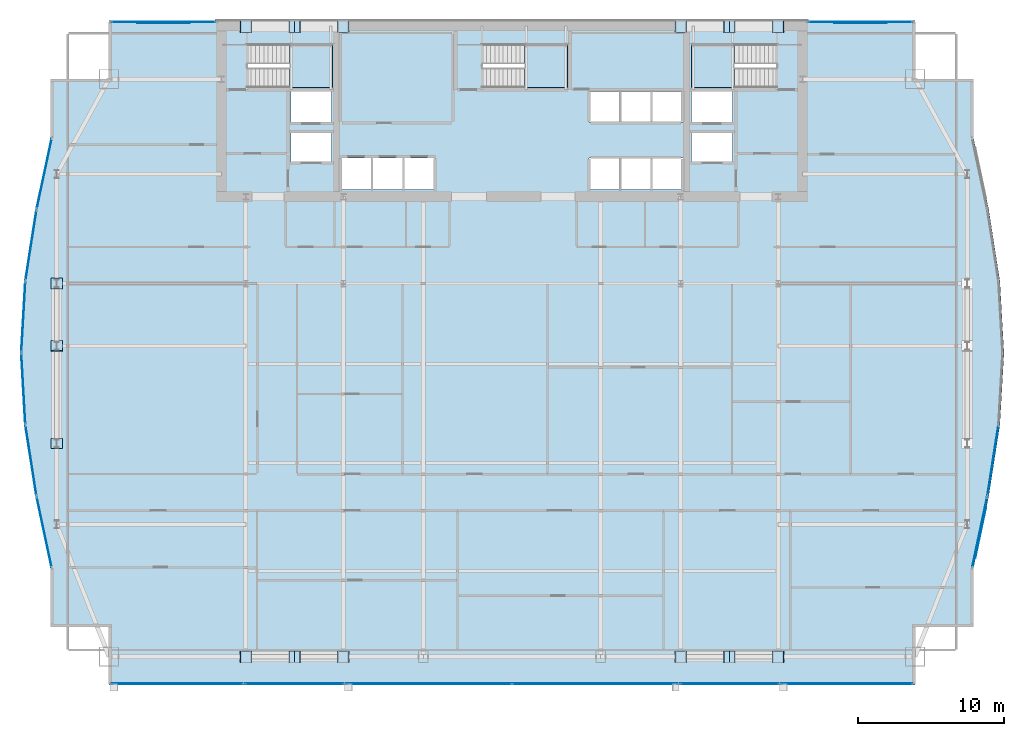
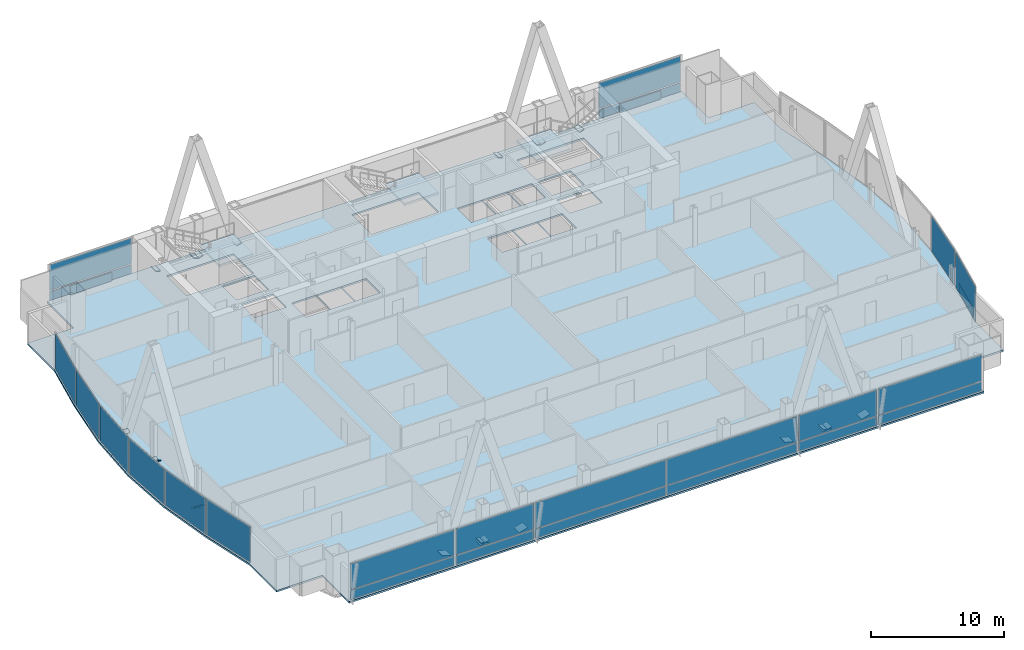
# One storey, part 24 of 30: 47 plates, 4 slabs, 18 elements without a shape of their own.
"""IFC4 building model written with IfcOpenShell, lengths in metres."""

from ifc_helpers import new_model, si_unit, direction, frame, origin, origin_2d, place, context, subcontext, project, spatial, polyline, rectangle, outline, extrude, material, layer, layer_set, type_object, element, aggregate, save


model = new_model("IFC4")

# Units and contexts
model_context = context("Model", 3, precision=1e-05, world=origin(), true_north=direction((0.0, 1.0)))
body_context = subcontext(model_context, "Body", "Model", "MODEL_VIEW")
ifc_project = project(units=[si_unit("LENGTHUNIT", "METRE"), si_unit("AREAUNIT", "SQUARE_METRE"), si_unit("VOLUMEUNIT", "CUBIC_METRE"), si_unit("PLANEANGLEUNIT", "RADIAN"), si_unit("MASSUNIT", "GRAM", prefix="KILO")], contexts=[model_context])

# Site, building, storey
site_placement = place(None, origin())
site = spatial("IfcSite", under=ifc_project, at=site_placement, CompositionType="ELEMENT")
building_placement = place(site_placement, origin())
building = spatial("IfcBuilding", under=site, at=building_placement, Name="Khoronbel Lancet Exchange", CompositionType="ELEMENT")
storey_placement = place(building_placement, frame((0.0, 0.0, 157.800048828125)))
storey = spatial("IfcBuildingStorey", under=building, at=storey_placement, Name="L39", CompositionType="ELEMENT", Elevation=157.800048828125)

# Curtain wall, plate
ifc_material_1 = material(Name="Low-E Solar Control Insulating Glass", Category="glass")
curtain_wall_type_1 = type_object("IfcCurtainWallType", Name="CW-4", PredefinedType="NOTDEFINED", material=ifc_material_1)
curtain_wall_1_placement = place(storey_placement, origin())
curtain_wall_1 = element("IfcCurtainWall", 1, at=curtain_wall_1_placement, inside=storey, type_object=curtain_wall_type_1, Name="Unitised curtain wall CW-L39-E05", PredefinedType="NOTDEFINED")
ifc_material_2 = material(Name="Bronze-Anodised Aluminium 6063-T6", Category="aluminium")
ifc_layer_1 = layer(ifc_material_2, 0.050048828125, Name="Bronze-Anodised Aluminium 6063-T6")
ifc_layer_set_1 = layer_set([ifc_layer_1], Name="Bronze-Anodised Aluminium 6063-T6")
plate_type_1 = type_object("IfcPlateType", Name="PLT-CSP1", PredefinedType="SHEET", material=ifc_layer_set_1)
plate_1_placement = place(storey_placement, frame((3.50732421875, 23.587890625, 0.0849609375), z_axis=(0.0, 0.0, 1.0), x_axis=(-0.154189029189, 0.98804136719, 0.0)))
plate_1 = element("IfcPlate", 2, at=plate_1_placement, type_object=plate_type_1, Name="CW4 panel 1.1", PredefinedType="CURTAIN_PANEL", context=body_context, shape_type="SweptSolid", body=[
    extrude(rectangle(XDim=4.8193359375, YDim=0.0380859375, at=origin_2d()), origin(), (0.0, 0.0, 1.0), 3.27001953125),
])
aggregate(curtain_wall_1, [plate_1])

curtain_wall_2_placement = place(storey_placement, origin())
curtain_wall_2 = element("IfcCurtainWall", 3, at=curtain_wall_2_placement, inside=storey, type_object=curtain_wall_type_1, Name="Unitised curtain wall CW-L39-E06", PredefinedType="NOTDEFINED")
plate_2_placement = place(storey_placement, frame((2.984130859375, 28.496337890625, 0.0849609375), z_axis=(0.0, 0.0, 1.0), x_axis=(-0.05702719411, 0.998372625392, 0.0)))
plate_2 = element("IfcPlate", 4, at=plate_2_placement, type_object=plate_type_1, Name="CW4 panel 1.1", PredefinedType="CURTAIN_PANEL", context=body_context, shape_type="SweptSolid", body=[
    extrude(rectangle(XDim=4.76513671875, YDim=0.0380859375, at=origin_2d()), origin(), (0.0, 0.0, 1.0), 3.27001953125),
])
aggregate(curtain_wall_2, [plate_2])

curtain_wall_3_placement = place(storey_placement, origin())
curtain_wall_3 = element("IfcCurtainWall", 5, at=curtain_wall_3_placement, inside=storey, type_object=curtain_wall_type_1, Name="Unitised curtain wall CW-L39-E07", PredefinedType="NOTDEFINED")
plate_3_placement = place(storey_placement, frame((2.984130859375, 33.403564453125, 0.0849609375), z_axis=(0.0, 0.0, 1.0), x_axis=(0.05702719411, 0.998372625392, 0.0)))
plate_3 = element("IfcPlate", 6, at=plate_3_placement, type_object=plate_type_1, Name="CW4 panel 1.1", PredefinedType="CURTAIN_PANEL", context=body_context, shape_type="SweptSolid", body=[
    extrude(rectangle(XDim=4.76513671875, YDim=0.0380859375, at=origin_2d()), origin(), (0.0, 0.0, 1.0), 3.27001953125),
])
aggregate(curtain_wall_3, [plate_3])

curtain_wall_4_placement = place(storey_placement, origin())
curtain_wall_4 = element("IfcCurtainWall", 7, at=curtain_wall_4_placement, inside=storey, type_object=curtain_wall_type_1, Name="Unitised curtain wall CW-L39-E08", PredefinedType="NOTDEFINED")
plate_4_placement = place(storey_placement, frame((3.50732421875, 38.31201171875, 0.0849609375), z_axis=(0.0, 0.0, 1.0), x_axis=(0.154189029189, 0.98804136719, 0.0)))
plate_4 = element("IfcPlate", 8, at=plate_4_placement, type_object=plate_type_1, Name="CW4 panel 1.1", PredefinedType="CURTAIN_PANEL", context=body_context, shape_type="SweptSolid", body=[
    extrude(rectangle(XDim=4.8193359375, YDim=0.0380859375, at=origin_2d()), origin(), (0.0, 0.0, 1.0), 3.27001953125),
])
aggregate(curtain_wall_4, [plate_4])

curtain_wall_type_2 = type_object("IfcCurtainWallType", Name="CW-3", PredefinedType="NOTDEFINED", material=ifc_material_1)
curtain_wall_5_placement = place(storey_placement, origin())
curtain_wall_5 = element("IfcCurtainWall", 9, at=curtain_wall_5_placement, inside=storey, type_object=curtain_wall_type_2, Name="Unitised curtain wall CW-L39-NWFLK", PredefinedType="NOTDEFINED")
plate_5_placement = place(storey_placement, frame((12.580078125, 53.550048828125, 0.0498046875), z_axis=(0.0, 0.0, 1.0), x_axis=(-1.0, 0.0, 0.0)))
plate_5 = element("IfcPlate", 10, at=plate_5_placement, type_object=plate_type_1, Name="Insulated bronze spandrel cassette CW-L39-NWFLK", PredefinedType="SHEET", context=body_context, shape_type="SweptSolid", body=[
    extrude(rectangle(XDim=3.60009765625, YDim=0.050048828125, at=origin_2d()), origin(), (0.0, 0.0, 1.0), 0.800048828125),
])

curtain_wall_6_placement = place(storey_placement, origin())
curtain_wall_6 = element("IfcCurtainWall", 11, at=curtain_wall_6_placement, inside=storey, type_object=curtain_wall_type_2, Name="Unitised curtain wall CW-L39-NEFLK", PredefinedType="NOTDEFINED")
plate_6_placement = place(storey_placement, frame((60.320068359375, 53.550048828125, 0.0498046875), z_axis=(0.0, 0.0, 1.0), x_axis=(-1.0, 0.0, 0.0)))
plate_6 = element("IfcPlate", 12, at=plate_6_placement, type_object=plate_type_1, Name="Insulated bronze spandrel cassette CW-L39-NEFLK", PredefinedType="SHEET", context=body_context, shape_type="SweptSolid", body=[
    extrude(rectangle(XDim=3.60009765625, YDim=0.050048828125, at=origin_2d()), origin(), (0.0, 0.0, 1.0), 0.800048828125),
])

curtain_wall_7_placement = place(storey_placement, origin())
curtain_wall_7 = element("IfcCurtainWall", 13, at=curtain_wall_7_placement, inside=storey, type_object=curtain_wall_type_1, Name="Unitised curtain wall CW-L39-E21", PredefinedType="NOTDEFINED")
plate_7_placement = place(storey_placement, frame((69.392578125, 23.587890625, 0.0849609375), z_axis=(0.0, 0.0, 1.0), x_axis=(-0.154189029189, -0.98804136719, 0.0)))
plate_7 = element("IfcPlate", 14, at=plate_7_placement, type_object=plate_type_1, Name="CW4 panel 1.1", PredefinedType="CURTAIN_PANEL", context=body_context, shape_type="SweptSolid", body=[
    extrude(rectangle(XDim=4.8193359375, YDim=0.0380859375, at=origin_2d()), origin(), (0.0, 0.0, 1.0), 3.27001953125),
])
aggregate(curtain_wall_7, [plate_7])

curtain_wall_8_placement = place(storey_placement, origin())
curtain_wall_8 = element("IfcCurtainWall", 15, at=curtain_wall_8_placement, inside=storey, type_object=curtain_wall_type_1, Name="Unitised curtain wall CW-L39-E22", PredefinedType="NOTDEFINED")
plate_8_placement = place(storey_placement, frame((68.54345703125, 18.65869140625, 0.0498046875), z_axis=(0.0, 0.0, 1.0), x_axis=(-0.208496605228, -0.978023090529, 0.0)))
plate_8 = element("IfcPlate", 16, at=plate_8_placement, type_object=plate_type_1, Name="Insulated bronze spandrel cassette CW-L39-E22", PredefinedType="SHEET", context=body_context, shape_type="SweptSolid", body=[
    extrude(rectangle(XDim=3.52392578125, YDim=0.050048828125, at=origin_2d()), origin(), (0.0, 0.0, 1.0), 0.800048828125),
])

# Curtain wall, plates
curtain_wall_9_placement = place(storey_placement, origin())
curtain_wall_9 = element("IfcCurtainWall", 17, at=curtain_wall_9_placement, inside=storey, type_object=curtain_wall_type_2, Name="Unitised curtain wall CW-L39-SWB", PredefinedType="NOTDEFINED")
plate_9_placement = place(storey_placement, frame((21.550048828125, 8.2900390625, 0.0849609375), z_axis=(0.0, 0.0, 1.0), x_axis=(1.0, 0.0, 0.0)))
plate_9 = element("IfcPlate", 18, at=plate_9_placement, type_object=plate_type_1, Name="CW3 panel 1.1", PredefinedType="CURTAIN_PANEL", context=body_context, shape_type="SweptSolid", body=[
    extrude(rectangle(XDim=6.72998046875, YDim=0.0380859375, at=origin_2d()), origin(), (0.0, 0.0, 1.0), 0.822509765625),
])
plate_10_placement = place(storey_placement, frame((21.550048828125, 8.2900390625, 0.9921875), z_axis=(0.0, 0.0, 1.0), x_axis=(1.0, 0.0, 0.0)))
plate_10 = element("IfcPlate", 19, at=plate_10_placement, type_object=plate_type_1, Name="CW3 panel 1.2", PredefinedType="CURTAIN_PANEL", context=body_context, shape_type="SweptSolid", body=[
    extrude(rectangle(XDim=6.72998046875, YDim=0.0380859375, at=origin_2d()), origin(), (0.0, 0.0, 1.0), 2.362548828125),
])
aggregate(curtain_wall_9, [plate_9, plate_10])

curtain_wall_10_placement = place(storey_placement, origin())
curtain_wall_10 = element("IfcCurtainWall", 20, at=curtain_wall_10_placement, inside=storey, type_object=curtain_wall_type_2, Name="Unitised curtain wall CW-L39-SEB", PredefinedType="NOTDEFINED")
plate_11_placement = place(storey_placement, frame((51.35009765625, 8.2900390625, 0.0849609375), z_axis=(0.0, 0.0, 1.0), x_axis=(1.0, 0.0, 0.0)))
plate_11 = element("IfcPlate", 21, at=plate_11_placement, type_object=plate_type_1, Name="CW3 panel 1.1", PredefinedType="CURTAIN_PANEL", context=body_context, shape_type="SweptSolid", body=[
    extrude(rectangle(XDim=6.72998046875, YDim=0.0380859375, at=origin_2d()), origin(), (0.0, 0.0, 1.0), 0.822509765625),
])
plate_12_placement = place(storey_placement, frame((51.35009765625, 8.2900390625, 0.9921875), z_axis=(0.0, 0.0, 1.0), x_axis=(1.0, 0.0, 0.0)))
plate_12 = element("IfcPlate", 22, at=plate_12_placement, type_object=plate_type_1, Name="CW3 panel 1.2", PredefinedType="CURTAIN_PANEL", context=body_context, shape_type="SweptSolid", body=[
    extrude(rectangle(XDim=6.72998046875, YDim=0.0380859375, at=origin_2d()), origin(), (0.0, 0.0, 1.0), 2.362548828125),
])
aggregate(curtain_wall_10, [plate_11, plate_12])

# Plate
ifc_layer_2 = layer(ifc_material_1, 0.035888671875, Name="Low-E Solar Control Insulating Glass")
ifc_layer_set_2 = layer_set([ifc_layer_2], Name="Low-E Solar Control Insulating Glass")
plate_type_2 = type_object("IfcPlateType", Name="PLT-CWP1", PredefinedType="CURTAIN_PANEL", material=ifc_layer_set_2)
plate_13_placement = place(storey_placement, frame((12.580078125, 53.610107421875, 0.0849609375), z_axis=(0.0, 0.0, 1.0), x_axis=(-1.0, 0.0, 0.0)))
plate_13 = element("IfcPlate", 23, at=plate_13_placement, type_object=plate_type_2, Name="CW3 panel 1.1", PredefinedType="CURTAIN_PANEL", context=body_context, shape_type="SweptSolid", body=[
    extrude(rectangle(XDim=7.110107421875, YDim=0.0380859375, at=origin_2d()), origin(), (0.0, 0.0, 1.0), 0.822509765625),
])

plate_14_placement = place(storey_placement, frame((12.580078125, 53.610107421875, 0.9921875), z_axis=(0.0, 0.0, 1.0), x_axis=(-1.0, 0.0, 0.0)))
plate_14 = element("IfcPlate", 24, at=plate_14_placement, type_object=plate_type_2, Name="CW3 panel 1.2", PredefinedType="CURTAIN_PANEL", context=body_context, shape_type="SweptSolid", body=[
    extrude(rectangle(XDim=7.110107421875, YDim=0.0380859375, at=origin_2d()), origin(), (0.0, 0.0, 1.0), 2.362548828125),
])

aggregate(curtain_wall_5, [plate_13, plate_14, plate_5])

plate_15_placement = place(storey_placement, frame((60.320068359375, 53.610107421875, 0.0849609375), z_axis=(0.0, 0.0, 1.0), x_axis=(-1.0, 0.0, 0.0)))
plate_15 = element("IfcPlate", 25, at=plate_15_placement, type_object=plate_type_2, Name="CW3 panel 1.1", PredefinedType="CURTAIN_PANEL", context=body_context, shape_type="SweptSolid", body=[
    extrude(rectangle(XDim=7.110107421875, YDim=0.0380859375, at=origin_2d()), origin(), (0.0, 0.0, 1.0), 0.822509765625),
])

plate_16_placement = place(storey_placement, frame((60.320068359375, 53.610107421875, 0.9921875), z_axis=(0.0, 0.0, 1.0), x_axis=(-1.0, 0.0, 0.0)))
plate_16 = element("IfcPlate", 26, at=plate_16_placement, type_object=plate_type_2, Name="CW3 panel 1.2", PredefinedType="CURTAIN_PANEL", context=body_context, shape_type="SweptSolid", body=[
    extrude(rectangle(XDim=7.110107421875, YDim=0.0380859375, at=origin_2d()), origin(), (0.0, 0.0, 1.0), 2.362548828125),
])

aggregate(curtain_wall_6, [plate_15, plate_16, plate_6])

# Curtain wall, plates
curtain_wall_11_placement = place(storey_placement, origin())
curtain_wall_11 = element("IfcCurtainWall", 27, at=curtain_wall_11_placement, inside=storey, type_object=curtain_wall_type_2, Name="Unitised curtain wall CW-L39-SWV", PredefinedType="NOTDEFINED")
plate_17_placement = place(storey_placement, frame((13.52001953125, 8.2900390625, 0.0849609375), z_axis=(0.0, 0.0, 1.0), x_axis=(1.0, 0.0, 0.0)))
plate_17 = element("IfcPlate", 28, at=plate_17_placement, type_object=plate_type_2, Name="CW3 panel 1.1", PredefinedType="CURTAIN_PANEL", context=body_context, shape_type="SweptSolid", body=[
    extrude(rectangle(XDim=8.989990234375, YDim=0.0380859375, at=origin_2d()), origin(), (0.0, 0.0, 1.0), 0.822509765625),
])
plate_18_placement = place(storey_placement, frame((13.52001953125, 8.2900390625, 0.9921875), z_axis=(0.0, 0.0, 1.0), x_axis=(1.0, 0.0, 0.0)))
plate_18 = element("IfcPlate", 29, at=plate_18_placement, type_object=plate_type_2, Name="CW3 panel 1.2", PredefinedType="CURTAIN_PANEL", context=body_context, shape_type="SweptSolid", body=[
    extrude(rectangle(XDim=8.989990234375, YDim=0.0380859375, at=origin_2d()), origin(), (0.0, 0.0, 1.0), 2.362548828125),
])
aggregate(curtain_wall_11, [plate_17, plate_18])

curtain_wall_12_placement = place(storey_placement, origin())
curtain_wall_12 = element("IfcCurtainWall", 30, at=curtain_wall_12_placement, inside=storey, type_object=curtain_wall_type_2, Name="Unitised curtain wall CW-L39-SCV", PredefinedType="NOTDEFINED")
plate_19_placement = place(storey_placement, frame((30.746337890625, 8.2900390625, 0.0849609375), z_axis=(0.0, 0.0, 1.0), x_axis=(1.0, 0.0, 0.0)))
plate_19 = element("IfcPlate", 31, at=plate_19_placement, type_object=plate_type_2, Name="CW3 panel 1.1", PredefinedType="CURTAIN_PANEL", context=body_context, shape_type="SweptSolid", body=[
    extrude(rectangle(XDim=11.322509765625, YDim=0.0380859375, at=origin_2d()), origin(), (0.0, 0.0, 1.0), 0.822509765625),
])
plate_20_placement = place(storey_placement, frame((30.746337890625, 8.2900390625, 0.9921875), z_axis=(0.0, 0.0, 1.0), x_axis=(1.0, 0.0, 0.0)))
plate_20 = element("IfcPlate", 32, at=plate_20_placement, type_object=plate_type_2, Name="CW3 panel 1.2", PredefinedType="CURTAIN_PANEL", context=body_context, shape_type="SweptSolid", body=[
    extrude(rectangle(XDim=11.322509765625, YDim=0.0380859375, at=origin_2d()), origin(), (0.0, 0.0, 1.0), 2.362548828125),
])
plate_21_placement = place(storey_placement, frame((42.15380859375, 8.2900390625, 0.0849609375), z_axis=(0.0, 0.0, 1.0), x_axis=(1.0, 0.0, 0.0)))
plate_21 = element("IfcPlate", 33, at=plate_21_placement, type_object=plate_type_2, Name="CW3 panel 2.1", PredefinedType="CURTAIN_PANEL", context=body_context, shape_type="SweptSolid", body=[
    extrude(rectangle(XDim=11.322509765625, YDim=0.0380859375, at=origin_2d()), origin(), (0.0, 0.0, 1.0), 0.822509765625),
])
plate_22_placement = place(storey_placement, frame((42.15380859375, 8.2900390625, 0.9921875), z_axis=(0.0, 0.0, 1.0), x_axis=(1.0, 0.0, 0.0)))
plate_22 = element("IfcPlate", 34, at=plate_22_placement, type_object=plate_type_2, Name="CW3 panel 2.2", PredefinedType="CURTAIN_PANEL", context=body_context, shape_type="SweptSolid", body=[
    extrude(rectangle(XDim=11.322509765625, YDim=0.0380859375, at=origin_2d()), origin(), (0.0, 0.0, 1.0), 2.362548828125),
])
aggregate(curtain_wall_12, [plate_19, plate_20, plate_21, plate_22])

curtain_wall_13_placement = place(storey_placement, origin())
curtain_wall_13 = element("IfcCurtainWall", 35, at=curtain_wall_13_placement, inside=storey, type_object=curtain_wall_type_2, Name="Unitised curtain wall CW-L39-SEV", PredefinedType="NOTDEFINED")
plate_23_placement = place(storey_placement, frame((59.3798828125, 8.2900390625, 0.0849609375), z_axis=(0.0, 0.0, 1.0), x_axis=(1.0, 0.0, 0.0)))
plate_23 = element("IfcPlate", 36, at=plate_23_placement, type_object=plate_type_2, Name="CW3 panel 1.1", PredefinedType="CURTAIN_PANEL", context=body_context, shape_type="SweptSolid", body=[
    extrude(rectangle(XDim=8.989990234375, YDim=0.0380859375, at=origin_2d()), origin(), (0.0, 0.0, 1.0), 0.822509765625),
])
plate_24_placement = place(storey_placement, frame((59.3798828125, 8.2900390625, 0.9921875), z_axis=(0.0, 0.0, 1.0), x_axis=(1.0, 0.0, 0.0)))
plate_24 = element("IfcPlate", 37, at=plate_24_placement, type_object=plate_type_2, Name="CW3 panel 1.2", PredefinedType="CURTAIN_PANEL", context=body_context, shape_type="SweptSolid", body=[
    extrude(rectangle(XDim=8.989990234375, YDim=0.0380859375, at=origin_2d()), origin(), (0.0, 0.0, 1.0), 2.362548828125),
])
aggregate(curtain_wall_13, [plate_23, plate_24])

# Curtain wall, plate
curtain_wall_14_placement = place(storey_placement, origin())
curtain_wall_14 = element("IfcCurtainWall", 38, at=curtain_wall_14_placement, inside=storey, type_object=curtain_wall_type_1, Name="Unitised curtain wall CW-L39-E04", PredefinedType="NOTDEFINED")
ifc_material_3 = material(Name="Ceramic-Fritted Laminated Insulating Glass", Category="glass")
ifc_layer_3 = layer(ifc_material_3, 0.0419921875, Name="Ceramic-Fritted Laminated Insulating Glass")
ifc_layer_set_3 = layer_set([ifc_layer_3], Name="Ceramic-Fritted Laminated Insulating Glass")
plate_type_3 = type_object("IfcPlateType", Name="PLT-CWP2", PredefinedType="CURTAIN_PANEL", material=ifc_layer_set_3)
plate_25_placement = place(storey_placement, frame((4.415283203125, 18.671142578125, 0.0849609375), z_axis=(0.0, 0.0, 1.0), x_axis=(-0.208496605228, 0.978023090529, 0.0)))
plate_25 = element("IfcPlate", 39, at=plate_25_placement, type_object=plate_type_3, Name="CW4 panel 1.1", PredefinedType="CURTAIN_PANEL", context=body_context, shape_type="SweptSolid", body=[
    extrude(rectangle(XDim=4.884033203125, YDim=0.0380859375, at=origin_2d()), origin(), (0.0, 0.0, 1.0), 3.27001953125),
])
aggregate(curtain_wall_14, [plate_25])

curtain_wall_15_placement = place(storey_placement, origin())
curtain_wall_15 = element("IfcCurtainWall", 40, at=curtain_wall_15_placement, inside=storey, type_object=curtain_wall_type_1, Name="Unitised curtain wall CW-L39-E09", PredefinedType="NOTDEFINED")
plate_26_placement = place(storey_placement, frame((4.415283203125, 43.228759765625, 0.0849609375), z_axis=(0.0, 0.0, 1.0), x_axis=(0.208496605228, 0.978023090529, 0.0)))
plate_26 = element("IfcPlate", 41, at=plate_26_placement, type_object=plate_type_3, Name="CW4 panel 1.1", PredefinedType="CURTAIN_PANEL", context=body_context, shape_type="SweptSolid", body=[
    extrude(rectangle(XDim=4.884033203125, YDim=0.0380859375, at=origin_2d()), origin(), (0.0, 0.0, 1.0), 3.27001953125),
])
aggregate(curtain_wall_15, [plate_26])

# Plate
plate_27_placement = place(storey_placement, frame((68.48486328125, 18.671142578125, 0.0849609375), z_axis=(0.0, 0.0, 1.0), x_axis=(-0.208496605228, -0.978023090529, 0.0)))
plate_27 = element("IfcPlate", 42, at=plate_27_placement, type_object=plate_type_3, Name="CW4 panel 1.1", PredefinedType="CURTAIN_PANEL", context=body_context, shape_type="SweptSolid", body=[
    extrude(rectangle(XDim=4.884033203125, YDim=0.0380859375, at=origin_2d()), origin(), (0.0, 0.0, 1.0), 3.27001953125),
])

aggregate(curtain_wall_8, [plate_27, plate_8])

# Plates
ifc_material_4 = material(Name="Steel S460", Category="steel")
ifc_layer_4 = layer(ifc_material_4, 0.044921875, Name="Steel S460")
ifc_layer_set_4 = layer_set([ifc_layer_4], Name="Steel S460")
plate_type_4 = type_object("IfcPlateType", Name="PLT-ECP1", PredefinedType="USERDEFINED", material=ifc_layer_set_4)
for number, where, z_axis, x_axis, name in (
    (43, (21.954345703125, 9.75, -0.086669921875), (0.295458235126, 0.0, 0.955355656966), (0.0, 1.0, 0.0), "Hollow end cap plate PLT-CAP-MEM-MB-T12-S-W-L-1"),
    (44, (21.170654296875, 10.550048828125, -0.086669921875), (-0.295458235126, 0.0, 0.955355656966), (0.0, -1.0, 0.0), "Hollow end cap plate PLT-CAP-MEM-MB-T12-S-W-R-1"),
):
    element("IfcPlate", number, at=place(storey_placement, frame(where, z_axis=z_axis, x_axis=x_axis)), inside=storey, type_object=plate_type_4, Name=name, ObjectType="STIFFENER_PLATE", PredefinedType="USERDEFINED", context=body_context, shape_type="SweptSolid", body=[
        extrude(outline(polyline([(0.0, 0.0), (0.800048828125, 0.0), (0.800048828125, 0.7998046875), (0.0, 0.7998046875), (0.0, 0.0)])), origin(), (0.0, 0.0, -1.0), 0.044921875),
    ])
for number, where, z_axis, x_axis, name in (
    (45, (51.7294921875, 9.75, -0.086669921875), (0.295372103756, 0.0, 0.955382290145), (0.0, 1.0, 0.0), "Hollow end cap plate PLT-CAP-MEM-MB-T12-S-E-L-1"),
    (46, (50.945556640625, 10.550048828125, -0.086669921875), (-0.295372103756, 0.0, 0.955382290145), (0.0, -1.0, 0.0), "Hollow end cap plate PLT-CAP-MEM-MB-T12-S-E-R-1"),
):
    element("IfcPlate", number, at=place(storey_placement, frame(where, z_axis=z_axis, x_axis=x_axis)), inside=storey, type_object=plate_type_4, Name=name, ObjectType="STIFFENER_PLATE", PredefinedType="USERDEFINED", context=body_context, shape_type="SweptSolid", body=[
        extrude(outline(polyline([(0.0, 0.0), (0.800048828125, 0.0), (0.800048828125, 0.800048828125), (0.0, 0.800048828125), (0.0, 0.0)])), origin(), (0.0, 0.0, -1.0), 0.044921875),
    ])
for number, where, z_axis, x_axis, name in (
    (47, (21.954345703125, 52.8798828125, -0.086669921875), (0.295458235126, 0.0, 0.955355656966), (0.0, 1.0, 0.0), "Hollow end cap plate PLT-CAP-MEM-MB-T12-N-W-L-1"),
    (48, (21.170654296875, 53.679931640625, -0.086669921875), (-0.295458235126, 0.0, 0.955355656966), (0.0, -1.0, 0.0), "Hollow end cap plate PLT-CAP-MEM-MB-T12-N-W-R-1"),
):
    element("IfcPlate", number, at=place(storey_placement, frame(where, z_axis=z_axis, x_axis=x_axis)), inside=storey, type_object=plate_type_4, Name=name, ObjectType="STIFFENER_PLATE", PredefinedType="USERDEFINED", context=body_context, shape_type="SweptSolid", body=[
        extrude(outline(polyline([(0.0, 0.0), (0.800048828125, 0.0), (0.800048828125, 0.7998046875), (0.0, 0.7998046875), (0.0, 0.0)])), origin(), (0.0, 0.0, -1.0), 0.044921875),
    ])
for number, where, z_axis, x_axis, name in (
    (49, (51.7294921875, 52.8798828125, -0.086669921875), (0.295372103756, 0.0, 0.955382290145), (0.0, 1.0, 0.0), "Hollow end cap plate PLT-CAP-MEM-MB-T12-N-E-L-1"),
    (50, (50.945556640625, 53.679931640625, -0.086669921875), (-0.295372103756, 0.0, 0.955382290145), (0.0, -1.0, 0.0), "Hollow end cap plate PLT-CAP-MEM-MB-T12-N-E-R-1"),
):
    element("IfcPlate", number, at=place(storey_placement, frame(where, z_axis=z_axis, x_axis=x_axis)), inside=storey, type_object=plate_type_4, Name=name, ObjectType="STIFFENER_PLATE", PredefinedType="USERDEFINED", context=body_context, shape_type="SweptSolid", body=[
        extrude(outline(polyline([(0.0, 0.0), (0.800048828125, 0.0), (0.800048828125, 0.800048828125), (0.0, 0.800048828125), (0.0, 0.0)])), origin(), (0.0, 0.0, -1.0), 0.044921875),
    ])
plate_28_placement = place(storey_placement, frame((5.669921875, 31.78271484375, -0.182373046875), z_axis=(0.0, 0.525713722958, 0.850661555199), x_axis=(-1.0, 0.0, 0.0)))
element("IfcPlate", 51, at=plate_28_placement, inside=storey, type_object=plate_type_4, Name="Hollow end cap plate PLT-CAP-MEM-MB-T12-W-P-L-1", ObjectType="STIFFENER_PLATE", PredefinedType="USERDEFINED", context=body_context, shape_type="SweptSolid", body=[
    extrude(outline(polyline([(0.0, 0.0), (0.7998046875, 0.0), (0.7998046875, 0.800048828125), (0.0, 0.800048828125), (0.0, 0.0)])), origin(), (0.0, 0.0, -1.0), 0.044921875),
])
plate_29_placement = place(storey_placement, frame((4.8701171875, 31.041015625, -0.11669921875), z_axis=(0.0, -0.368125419582, 0.929776142659), x_axis=(1.0, 0.0, 0.0)))
element("IfcPlate", 52, at=plate_29_placement, inside=storey, type_object=plate_type_4, Name="Hollow end cap plate PLT-CAP-MEM-MB-T12-W-P-R-1", ObjectType="STIFFENER_PLATE", PredefinedType="USERDEFINED", context=body_context, shape_type="SweptSolid", body=[
    extrude(outline(polyline([(0.0, 0.0), (0.7998046875, 0.0), (0.7998046875, 0.7998046875), (0.0, 0.7998046875), (0.0, 0.0)])), origin(), (0.0, 0.0, -1.0), 0.044921875),
])
for number, where, z_axis, x_axis, name in (
    (53, (18.610595703125, 9.75, -0.106689453125), (0.295458235126, 0.0, 0.955355656966), (0.0, 1.0, 0.0), "Hollow end cap plate PLT-CAP-MEM-MB-T13-S-W-L-0"),
    (54, (24.514404296875, 10.550048828125, -0.106689453125), (-0.295458235126, 0.0, 0.955355656966), (0.0, -1.0, 0.0), "Hollow end cap plate PLT-CAP-MEM-MB-T13-S-W-R-0"),
):
    element("IfcPlate", number, at=place(storey_placement, frame(where, z_axis=z_axis, x_axis=x_axis)), inside=storey, type_object=plate_type_4, Name=name, ObjectType="STIFFENER_PLATE", PredefinedType="USERDEFINED", context=body_context, shape_type="SweptSolid", body=[
        extrude(outline(polyline([(0.0, 0.0), (0.800048828125, 0.0), (0.800048828125, 0.7998046875), (0.0, 0.7998046875), (0.0, 0.0)])), origin(), (0.0, 0.0, -1.0), 0.044921875),
    ])
for number, where, z_axis, x_axis, name in (
    (55, (48.3857421875, 9.75, -0.106689453125), (0.295372103756, 0.0, 0.955382290145), (0.0, 1.0, 0.0), "Hollow end cap plate PLT-CAP-MEM-MB-T13-S-E-L-0"),
    (56, (54.289306640625, 10.550048828125, -0.106689453125), (-0.295372103756, 0.0, 0.955382290145), (0.0, -1.0, 0.0), "Hollow end cap plate PLT-CAP-MEM-MB-T13-S-E-R-0"),
):
    element("IfcPlate", number, at=place(storey_placement, frame(where, z_axis=z_axis, x_axis=x_axis)), inside=storey, type_object=plate_type_4, Name=name, ObjectType="STIFFENER_PLATE", PredefinedType="USERDEFINED", context=body_context, shape_type="SweptSolid", body=[
        extrude(outline(polyline([(0.0, 0.0), (0.800048828125, 0.0), (0.800048828125, 0.800048828125), (0.0, 0.800048828125), (0.0, 0.0)])), origin(), (0.0, 0.0, -1.0), 0.044921875),
    ])
for number, where, z_axis, x_axis, name in (
    (57, (18.610595703125, 52.8798828125, -0.106689453125), (0.295458235126, 0.0, 0.955355656966), (0.0, 1.0, 0.0), "Hollow end cap plate PLT-CAP-MEM-MB-T13-N-W-L-0"),
    (58, (24.514404296875, 53.679931640625, -0.106689453125), (-0.295458235126, 0.0, 0.955355656966), (0.0, -1.0, 0.0), "Hollow end cap plate PLT-CAP-MEM-MB-T13-N-W-R-0"),
):
    element("IfcPlate", number, at=place(storey_placement, frame(where, z_axis=z_axis, x_axis=x_axis)), inside=storey, type_object=plate_type_4, Name=name, ObjectType="STIFFENER_PLATE", PredefinedType="USERDEFINED", context=body_context, shape_type="SweptSolid", body=[
        extrude(outline(polyline([(0.0, 0.0), (0.800048828125, 0.0), (0.800048828125, 0.7998046875), (0.0, 0.7998046875), (0.0, 0.0)])), origin(), (0.0, 0.0, -1.0), 0.044921875),
    ])
for number, where, z_axis, x_axis, name in (
    (59, (48.3857421875, 52.8798828125, -0.106689453125), (0.295372103756, 0.0, 0.955382290145), (0.0, 1.0, 0.0), "Hollow end cap plate PLT-CAP-MEM-MB-T13-N-E-L-0"),
    (60, (54.289306640625, 53.679931640625, -0.106689453125), (-0.295372103756, 0.0, 0.955382290145), (0.0, -1.0, 0.0), "Hollow end cap plate PLT-CAP-MEM-MB-T13-N-E-R-0"),
):
    element("IfcPlate", number, at=place(storey_placement, frame(where, z_axis=z_axis, x_axis=x_axis)), inside=storey, type_object=plate_type_4, Name=name, ObjectType="STIFFENER_PLATE", PredefinedType="USERDEFINED", context=body_context, shape_type="SweptSolid", body=[
        extrude(outline(polyline([(0.0, 0.0), (0.800048828125, 0.0), (0.800048828125, 0.800048828125), (0.0, 0.800048828125), (0.0, 0.0)])), origin(), (0.0, 0.0, -1.0), 0.044921875),
    ])
for number, where, z_axis, x_axis, name in (
    (61, (5.669921875, 25.0966796875, -0.2001953125), (0.0, 0.525713722958, 0.850661555199), (-1.0, 0.0, 0.0), "Hollow end cap plate PLT-CAP-MEM-MB-T13-W-P-L-0"),
    (62, (4.8701171875, 35.32373046875, -0.13623046875), (0.0, -0.368284752847, 0.929713042191), (1.0, 0.0, 0.0), "Hollow end cap plate PLT-CAP-MEM-MB-T13-W-P-R-0"),
):
    element("IfcPlate", number, at=place(storey_placement, frame(where, z_axis=z_axis, x_axis=x_axis)), inside=storey, type_object=plate_type_4, Name=name, ObjectType="STIFFENER_PLATE", PredefinedType="USERDEFINED", context=body_context, shape_type="SweptSolid", body=[
        extrude(outline(polyline([(0.0, 0.0), (0.7998046875, 0.0), (0.7998046875, 0.800048828125), (0.0, 0.800048828125), (0.0, 0.0)])), origin(), (0.0, 0.0, -1.0), 0.044921875),
    ])

# Slab
ifc_material_5 = material(Name="Concrete C40/50", Category="concrete")
ifc_layer_5 = layer(ifc_material_5, 0.159912109375, Name="Concrete C40/50")
ifc_layer_set_5 = layer_set([ifc_layer_5], Name="Concrete C40/50")
slab_type_1 = type_object("IfcSlabType", Name="SL-FL160", PredefinedType="FLOOR", material=ifc_layer_set_5)
slab_1_placement = place(storey_placement, frame((0.0, 0.0, -0.16015625)))
element("IfcSlab", 63, at=slab_1_placement, inside=storey, type_object=slab_type_1, Name="Level L39 composite structural floor slab", PredefinedType="FLOOR", context=body_context, shape_type="SweptSolid", body=[
    extrude(outline(polyline([(8.85009765625, 8.199951171875), (64.050048828125, 8.199951171875), (64.050048828125, 12.199951171875), (68.050048828125, 12.199951171875), (68.050048828125, 16.199951171875), (69.09814453125, 21.11669921875), (69.865478515625, 26.033203125), (70.146240234375, 30.949951171875), (69.865478515625, 35.86669921875), (69.09814453125, 40.783203125), (68.050048828125, 45.699951171875), (68.050048828125, 49.699951171875), (64.050048828125, 49.699951171875), (64.050048828125, 53.699951171875), (8.85009765625, 53.699951171875), (8.85009765625, 49.699951171875), (4.85009765625, 49.699951171875), (4.85009765625, 45.699951171875), (3.802001953125, 40.783203125), (3.03466796875, 35.86669921875), (2.75390625, 30.949951171875), (3.03466796875, 26.033203125), (3.802001953125, 21.11669921875), (4.85009765625, 16.199951171875), (4.85009765625, 12.199951171875), (8.85009765625, 12.199951171875), (8.85009765625, 8.199951171875)]), holes=[polyline([(18.324951171875, 49.1201171875), (24.14990234375, 49.1201171875), (24.14990234375, 52.10009765625), (18.324951171875, 52.10009765625), (18.324951171875, 49.1201171875)]), polyline([(48.75, 49.1201171875), (54.574951171875, 49.1201171875), (54.574951171875, 52.10009765625), (48.75, 52.10009765625), (48.75, 49.1201171875)]), polyline([(34.425048828125, 49.1201171875), (40.25, 49.1201171875), (40.25, 52.10009765625), (34.425048828125, 52.10009765625), (34.425048828125, 49.1201171875)]), polyline([(24.699951171875, 42.14990234375), (26.840087890625, 42.14990234375), (26.840087890625, 44.300048828125), (24.699951171875, 44.300048828125), (24.699951171875, 42.14990234375)]), polyline([(26.860107421875, 42.14990234375), (29.0, 42.14990234375), (29.0, 44.300048828125), (26.860107421875, 44.300048828125), (26.860107421875, 42.14990234375)]), polyline([(29.02001953125, 42.14990234375), (31.159912109375, 42.14990234375), (31.159912109375, 44.300048828125), (29.02001953125, 44.300048828125), (29.02001953125, 42.14990234375)]), polyline([(41.739990234375, 46.75), (43.8798828125, 46.75), (43.8798828125, 48.85009765625), (41.739990234375, 48.85009765625), (41.739990234375, 46.75)]), polyline([(43.89990234375, 46.75), (46.0400390625, 46.75), (46.0400390625, 48.85009765625), (43.89990234375, 48.85009765625), (43.89990234375, 46.75)]), polyline([(46.06005859375, 46.75), (48.199951171875, 46.75), (48.199951171875, 48.85009765625), (46.06005859375, 48.85009765625), (46.06005859375, 46.75)]), polyline([(41.739990234375, 42.14990234375), (43.8798828125, 42.14990234375), (43.8798828125, 44.300048828125), (41.739990234375, 44.300048828125), (41.739990234375, 42.14990234375)]), polyline([(43.89990234375, 42.14990234375), (46.0400390625, 42.14990234375), (46.0400390625, 44.300048828125), (43.89990234375, 44.300048828125), (43.89990234375, 42.14990234375)]), polyline([(46.06005859375, 42.14990234375), (48.199951171875, 42.14990234375), (48.199951171875, 44.300048828125), (46.06005859375, 44.300048828125), (46.06005859375, 42.14990234375)]), polyline([(21.300048828125, 46.75), (24.10009765625, 46.75), (24.10009765625, 48.85009765625), (21.300048828125, 48.85009765625), (21.300048828125, 46.75)]), polyline([(48.75, 46.75), (51.550048828125, 46.75), (51.550048828125, 48.85009765625), (48.75, 48.85009765625), (48.75, 46.75)]), polyline([(21.300048828125, 44.050048828125), (24.10009765625, 44.050048828125), (24.10009765625, 46.050048828125), (21.300048828125, 46.050048828125), (21.300048828125, 44.050048828125)]), polyline([(48.75, 44.050048828125), (51.550048828125, 44.050048828125), (51.550048828125, 46.050048828125), (48.75, 46.050048828125), (48.75, 44.050048828125)])]), origin(), (0.0, 0.0, 1.0), 0.16015625),
])

# Stair, slab
stair_type = type_object("IfcStairType", Name="STR-CORE150", PredefinedType="HALF_TURN_STAIR", material=ifc_material_5)
stair_1_placement = place(storey_placement, origin())
stair_1 = element("IfcStair", 64, at=stair_1_placement, inside=storey, type_object=stair_type, Name="L39 Protected Exit Stair ST1", PredefinedType="HALF_TURN_STAIR")
ifc_layer_6 = layer(ifc_material_5, 0.199951171875, Name="Concrete C40/50")
ifc_layer_set_6 = layer_set([ifc_layer_6], Name="Concrete C40/50")
slab_type_2 = type_object("IfcSlabType", Name="SL-LND180", PredefinedType="LANDING", material=ifc_layer_set_6)
slab_2_placement = place(storey_placement, frame((0.0, 0.0, 1.599853515625)))
slab_2 = element("IfcSlab", 65, at=slab_2_placement, type_object=slab_type_2, Name="ST1 landing 1", PredefinedType="LANDING", context=body_context, shape_type="SweptSolid", body=[
    extrude(outline(polyline([(21.199951171875, 49.1201171875), (24.14990234375, 49.1201171875), (24.14990234375, 52.10009765625), (21.199951171875, 52.10009765625), (21.199951171875, 49.1201171875)])), origin(), (0.0, 0.0, 1.0), 0.2001953125),
])
aggregate(stair_1, [slab_2])

stair_2_placement = place(storey_placement, origin())
stair_2 = element("IfcStair", 66, at=stair_2_placement, inside=storey, type_object=stair_type, Name="L39 Protected Exit Stair ST2", PredefinedType="HALF_TURN_STAIR")
slab_3_placement = place(storey_placement, frame((0.0, 0.0, 1.599853515625)))
slab_3 = element("IfcSlab", 67, at=slab_3_placement, type_object=slab_type_2, Name="ST2 landing 1", PredefinedType="LANDING", context=body_context, shape_type="SweptSolid", body=[
    extrude(outline(polyline([(51.699951171875, 52.10009765625), (48.75, 52.10009765625), (48.75, 49.1201171875), (51.699951171875, 49.1201171875), (51.699951171875, 52.10009765625)])), origin(), (0.0, 0.0, 1.0), 0.2001953125),
])
aggregate(stair_2, [slab_3])

stair_3_placement = place(storey_placement, origin())
stair_3 = element("IfcStair", 68, at=stair_3_placement, inside=storey, type_object=stair_type, Name="L39 Protected Exit Stair ST3", PredefinedType="HALF_TURN_STAIR")
slab_4_placement = place(storey_placement, frame((0.0, 0.0, 1.599853515625)))
slab_4 = element("IfcSlab", 69, at=slab_4_placement, type_object=slab_type_2, Name="ST3 landing 1", PredefinedType="LANDING", context=body_context, shape_type="SweptSolid", body=[
    extrude(outline(polyline([(37.300048828125, 49.1201171875), (40.25, 49.1201171875), (40.25, 52.10009765625), (37.300048828125, 52.10009765625), (37.300048828125, 49.1201171875)])), origin(), (0.0, 0.0, 1.0), 0.2001953125),
])
aggregate(stair_3, [slab_4])

save(model, "model.ifc")
